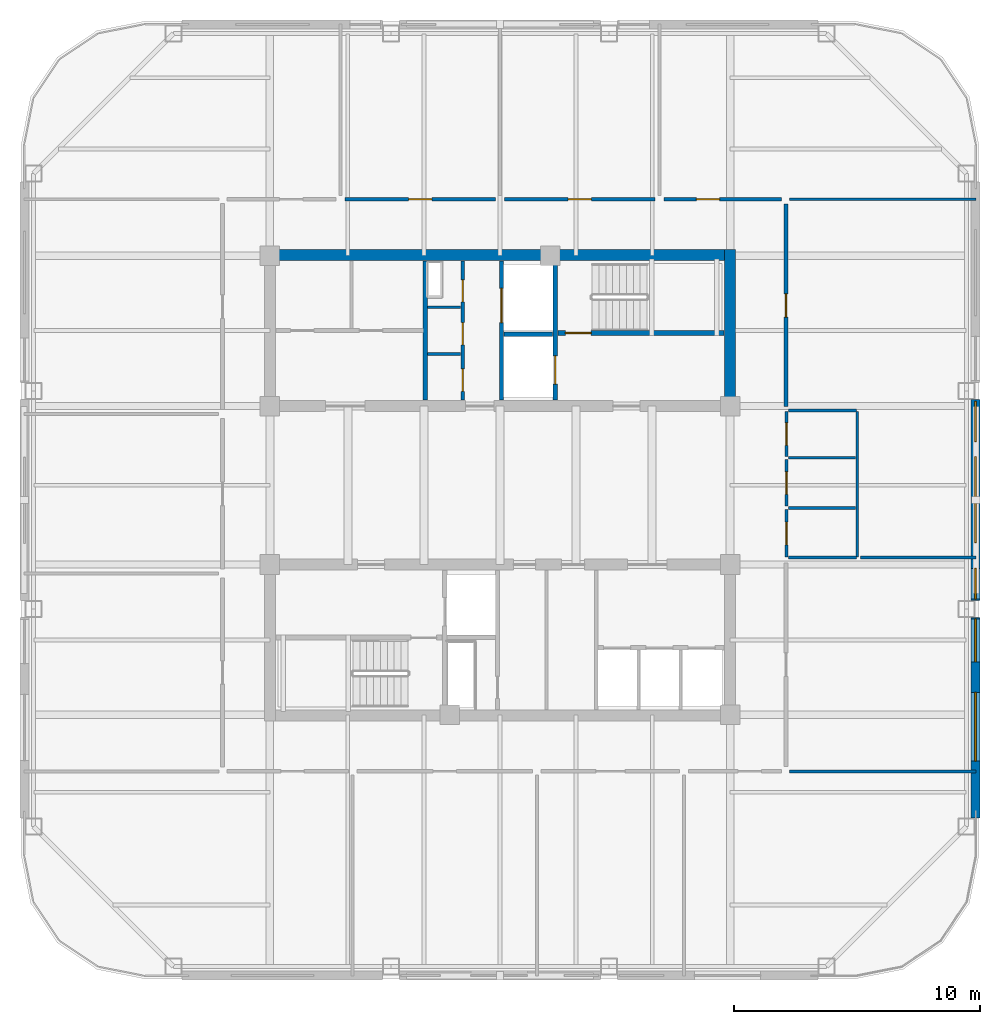
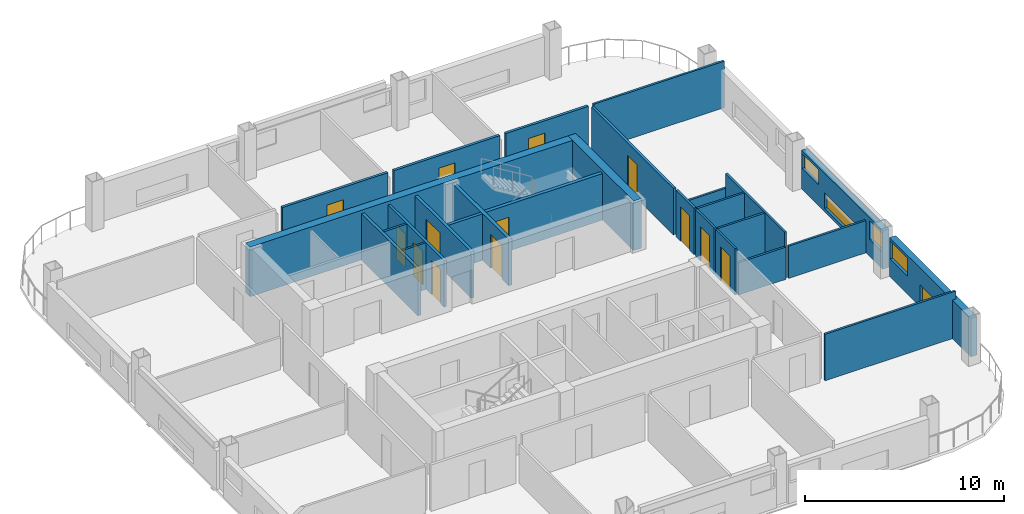
# One storey, part 4 of 8: 27 walls, 13 doors, 5 windows, 18 openings.
"""IFC4 building model written with IfcOpenShell, lengths in metres."""

import ifcopenshell
import ifcopenshell.guid

model = None  # the IFC model being written
_history = None  # IfcOwnerHistory: only IFC2X3 demands one
_inside = {}  # id of a spatial element -> (the spatial element, [elements in it])
_under = {}  # id of a project, library or spatial element -> (it, [spatial elements below it])
_declared = {}  # id of a project -> (the project, [libraries it declares])
_typed = {}  # id of a type object -> (the type object, [elements of that type])
_made_of = {}  # id of a material, layer set ... -> (it, [elements and type objects made of it])


def new_model(schema):
    """Start an empty IFC model of exactly this schema.

    Asked for "IFC4X3", IfcOpenShell would pick the latest addendum, in which some entities
    have other attributes; the version numbers below select the first issue.
    IFC2X3 requires an IfcOwnerHistory on every rooted entity: one is made here for all.
    """
    global model, _history
    if schema == "IFC4X3":
        model = ifcopenshell.file(schema_version=(4, 3, 0, 0))
    else:
        model = ifcopenshell.file(schema=schema)
    _inside.clear()
    _under.clear()
    _declared.clear()
    _typed.clear()
    _made_of.clear()
    _history = None
    if model.schema == "IFC2X3":
        org = make("IfcOrganization", Name="unknown")
        user = make(
            "IfcPersonAndOrganization",
            ThePerson=make("IfcPerson", FamilyName="unknown"),
            TheOrganization=org,
        )
        app = make(
            "IfcApplication",
            ApplicationDeveloper=org,
            Version="unknown",
            ApplicationFullName="unknown",
            ApplicationIdentifier="unknown",
        )
        _history = make(
            "IfcOwnerHistory",
            OwningUser=user,
            OwningApplication=app,
            ChangeAction="ADDED",
            CreationDate=0,
        )
    return model


def make(cls, **values):
    """One entity of the class cls with the attributes given. An attribute that is None is left unset."""
    return model.create_entity(
        cls, **{name: value for name, value in values.items() if value is not None}
    )


def rooted(cls, **values):
    """An entity with a GlobalId (a new one), such as an element, a storey or a relation."""
    return make(cls, GlobalId=ifcopenshell.guid.new(), OwnerHistory=_history, **values)


def si_unit(unit_type, name, prefix=None):
    """IfcSIUnit, for example si_unit("LENGTHUNIT", "METRE", prefix="MILLI")."""
    return make("IfcSIUnit", UnitType=unit_type, Prefix=prefix, Name=name)


def assignment(units):
    """IfcUnitAssignment: the units of a project."""
    return None if units is None else make("IfcUnitAssignment", Units=units)


def point(xyz):
    """IfcCartesianPoint."""
    return None if xyz is None else make("IfcCartesianPoint", Coordinates=xyz)


def direction(xyz):
    """IfcDirection."""
    return None if xyz is None else make("IfcDirection", DirectionRatios=xyz)


def frame(location, z_axis=None, x_axis=None):
    """IfcAxis2Placement3D, a coordinate frame: its origin and axes. An axis left out is left unset."""
    return make(
        "IfcAxis2Placement3D",
        Location=point(location),
        Axis=direction(z_axis),
        RefDirection=direction(x_axis),
    )


def frame_2d(location, x_axis=None):
    """IfcAxis2Placement2D, a coordinate frame in the plane: its origin and x axis."""
    return make(
        "IfcAxis2Placement2D", Location=point(location), RefDirection=direction(x_axis)
    )


def origin():
    """The frame at (0, 0, 0) with its axes left unset."""
    return frame((0.0, 0.0, 0.0))


def place(relative_to, where):
    """IfcLocalPlacement: puts the frame where relative to a parent placement (None: the world)."""
    return make(
        "IfcLocalPlacement", PlacementRelTo=relative_to, RelativePlacement=where
    )


def context(
    kind, dimensions, precision=None, world=None, true_north=None, identifier=None
):
    """IfcGeometricRepresentationContext, for example the 3D "Model" context."""
    return make(
        "IfcGeometricRepresentationContext",
        ContextIdentifier=identifier,
        ContextType=kind,
        CoordinateSpaceDimension=dimensions,
        Precision=precision,
        WorldCoordinateSystem=world,
        TrueNorth=true_north,
    )


def subcontext(parent, identifier, kind, view, scale=None):
    """IfcGeometricRepresentationSubContext, for example "Body" below "Model"."""
    return make(
        "IfcGeometricRepresentationSubContext",
        ContextIdentifier=identifier,
        ContextType=kind,
        ParentContext=parent,
        TargetScale=scale,
        TargetView=view,
    )


def project(units=None, contexts=None):
    """IfcProject with its units and contexts."""
    return rooted(
        "IfcProject",
        Name="project",
        RepresentationContexts=contexts,
        UnitsInContext=assignment(units),
    )


def spatial(cls, under=None, at=None, **own):
    """A site, building, storey or space (cls), placed at a placement, below another one or the project."""
    s = rooted(cls, ObjectPlacement=at, **own)
    if under is not None:
        _under.setdefault(under.id(), (under, []))[1].append(s)
    return s


def profile(cls, at=None, kind="AREA", **sizes):
    """A parametric profile (cls). Its sizes go by their IFC names, for example OverallWidth=200.0."""
    return make(cls, ProfileType=kind, Position=at, **sizes)


def rectangle(**sizes):
    """IfcRectangleProfileDef."""
    return profile("IfcRectangleProfileDef", **sizes)


def extrude(swept, where, along, depth):
    """IfcExtrudedAreaSolid: the profile swept, set in the frame where, extruded along a direction by depth."""
    return make(
        "IfcExtrudedAreaSolid",
        SweptArea=swept,
        Position=where,
        ExtrudedDirection=direction(along),
        Depth=depth,
    )


def shape(context_of_items, identifier, shape_type, items):
    """IfcShapeRepresentation: the items that make up one representation, for example the "Body"."""
    return make(
        "IfcShapeRepresentation",
        ContextOfItems=context_of_items,
        RepresentationIdentifier=identifier,
        RepresentationType=shape_type,
        Items=items,
    )


def material(Name=None, Category=None):
    """IfcMaterial."""
    return make("IfcMaterial", Name=Name, Category=Category)


def layer(
    of_material, thickness, ventilated=None, Name=None, Category=None, Priority=None
):
    """IfcMaterialLayer: one layer of a wall or slab, of a material (None: an air gap)."""
    return make(
        "IfcMaterialLayer",
        Material=of_material,
        LayerThickness=thickness,
        IsVentilated=ventilated,
        Name=Name,
        Category=Category,
        Priority=Priority,
    )


def layer_set(layers, Name=None):
    """IfcMaterialLayerSet."""
    return make("IfcMaterialLayerSet", MaterialLayers=layers, LayerSetName=Name)


def made_of(thing, what):
    """Note that an element or type object is made of a material, layer set ...; save() writes the relation."""
    if what is not None:
        _made_of.setdefault(what.id(), (what, []))[1].append(thing)
    return thing


def type_object(cls, material=None, **own):
    """A type object (cls), such as IfcWallType, which elements share."""
    return made_of(rooted(cls, **own), material)


def element(
    cls,
    number,
    at=None,
    inside=None,
    cuts=None,
    type_object=None,
    material=None,
    context=None,
    identifier="Body",
    shape_type=None,
    held_by="IfcProductDefinitionShape",
    body=None,
    shapes=None,
    **own,
):
    """One element of the class cls, such as IfcWall. Its Tag is "e" and its number.

    at: its placement. inside: the storey or other place that contains it. cuts: it is an
    opening in that element (IfcRelVoidsElement). A single representation is given by context,
    identifier, shape_type and body (its items); several are given by shapes. held_by: the class
    of the entity that holds the representations. save() writes the other relations.
    """
    e = rooted(cls, Tag="e%d" % number, ObjectPlacement=at, **own)
    if body is not None:
        shapes = [shape(context, identifier, shape_type, body)]
    if shapes is not None:
        e.Representation = make(held_by, Representations=shapes)
    if inside is not None:
        _inside.setdefault(inside.id(), (inside, []))[1].append(e)
    if cuts is not None:
        rooted(
            "IfcRelVoidsElement", RelatingBuildingElement=cuts, RelatedOpeningElement=e
        )
    if type_object is not None:
        _typed.setdefault(type_object.id(), (type_object, []))[1].append(e)
    return made_of(e, material)


def fill(opening, filler):
    """IfcRelFillsElement: the door or window that sits in an opening."""
    return rooted(
        "IfcRelFillsElement",
        RelatingOpeningElement=opening,
        RelatedBuildingElement=filler,
    )


def aggregate(whole, parts):
    """IfcRelAggregates: a whole, such as a stair, and the parts it consists of."""
    return rooted("IfcRelAggregates", RelatingObject=whole, RelatedObjects=parts)


def save(model, path):
    """Write the relations noted so far, then the file.

    IfcRelAggregates (storeys below a building ...), IfcRelContainedInSpatialStructure (elements
    in a storey), IfcRelDefinesByType, IfcRelAssociatesMaterial and IfcRelDeclares: one each for
    every whole, place, type object, material and project.
    """
    for whole, parts in _under.values():
        aggregate(whole, parts)
    for where, things in _inside.values():
        rooted(
            "IfcRelContainedInSpatialStructure",
            RelatedElements=things,
            RelatingStructure=where,
        )
    for kind, things in _typed.values():
        rooted("IfcRelDefinesByType", RelatedObjects=things, RelatingType=kind)
    for what, things in _made_of.values():
        rooted("IfcRelAssociatesMaterial", RelatedObjects=things, RelatingMaterial=what)
    for by, libraries in _declared.values():
        rooted("IfcRelDeclares", RelatingContext=by, RelatedDefinitions=libraries)
    model.write(path)


model = new_model("IFC4")

# Units and contexts
model_context = context("Model", 3, precision=1e-05, world=origin(), true_north=direction((0.0, 1.0)))
body_context = subcontext(model_context, "Body", "Model", "MODEL_VIEW")
ifc_project = project(units=[si_unit("LENGTHUNIT", "METRE"), si_unit("AREAUNIT", "SQUARE_METRE"), si_unit("VOLUMEUNIT", "CUBIC_METRE"), si_unit("PLANEANGLEUNIT", "RADIAN"), si_unit("MASSUNIT", "GRAM", prefix="KILO")], contexts=[model_context])

# Site, building, storey
site_placement = place(None, origin())
site = spatial("IfcSite", under=ifc_project, at=site_placement, CompositionType="ELEMENT")
building_placement = place(site_placement, origin())
building = spatial("IfcBuilding", under=site, at=building_placement, Name="Qhalaya Broadcast Tower", CompositionType="ELEMENT")
storey_placement = place(building_placement, frame((0.0, 0.0, 220.85009765625)))
storey = spatial("IfcBuildingStorey", under=building, at=storey_placement, Name="L65", CompositionType="ELEMENT", Elevation=220.85009765625)

# Wall, openings, doors
ifc_material_1 = material(Name="Gypsum Acoustic Partition")
ifc_layer_1 = layer(ifc_material_1, 0.14990234375, Name="Gypsum Acoustic Partition")
ifc_layer_set_1 = layer_set([ifc_layer_1], Name="Gypsum Acoustic Partition")
wall_type_1 = type_object("IfcWallType", Name="Corridor & Tenancy Acoustic Partition 150", PredefinedType="PARTITIONING", material=ifc_layer_set_1)
wall_1_placement = place(storey_placement, frame((-1.52001953125, 4.070068359375, 0.0), z_axis=(0.0, 0.0, 1.0), x_axis=(0.0, 1.0, 0.0)))
wall_1 = element("IfcWall", 1, at=wall_1_placement, inside=storey, type_object=wall_type_1, Name="L65 Partition Wall NCW-SVL", PredefinedType="PARTITIONING", context=body_context, shape_type="SweptSolid", body=[
    extrude(rectangle(XDim=5.659912109375, YDim=0.14990234375, at=frame_2d((2.830078125, 0.0))), origin(), (0.0, 0.0, 1.0), 2.85986328125),
])
opening_1_placement = place(wall_1_placement, frame((4.0, 0.0, 0.0)))
opening_1 = element("IfcOpeningElement", 2, at=opening_1_placement, cuts=wall_1, Name="Opening D06", PredefinedType="OPENING", context=body_context, shape_type="SweptSolid", body=[
    extrude(rectangle(XDim=0.89990234375, YDim=2.050048828125, at=frame_2d((0.449951171875, 1.02490234375))), frame((0.0, 0.0869140625, 0.0), z_axis=(0.0, -1.0, 0.0), x_axis=(1.0, 0.0, 0.0)), (0.0, 0.0, 1.0), 0.173828125),
])
opening_2_placement = place(wall_1_placement, frame((2.25, 0.0, 0.0)))
opening_2 = element("IfcOpeningElement", 3, at=opening_2_placement, cuts=wall_1, Name="Opening D06", PredefinedType="OPENING", context=body_context, shape_type="SweptSolid", body=[
    extrude(rectangle(XDim=0.89990234375, YDim=2.050048828125, at=frame_2d((0.449951171875, 1.02490234375))), frame((0.0, 0.0869140625, 0.0), z_axis=(0.0, -1.0, 0.0), x_axis=(1.0, 0.0, 0.0)), (0.0, 0.0, 1.0), 0.173828125),
])
opening_3_placement = place(wall_1_placement, frame((0.35009765625, 0.0, 0.0)))
opening_3 = element("IfcOpeningElement", 4, at=opening_3_placement, cuts=wall_1, Name="Opening D12", PredefinedType="OPENING", context=body_context, shape_type="SweptSolid", body=[
    extrude(rectangle(XDim=0.919921875, YDim=2.10009765625, at=frame_2d((0.4599609375, 1.050048828125))), frame((0.0, 0.0869140625, 0.0), z_axis=(0.0, -1.0, 0.0), x_axis=(1.0, 0.0, 0.0)), (0.0, 0.0, 1.0), 0.173828125),
])
ifc_material_2 = material(Name="Timber Veneer Acoustic Door", Category="wood")
door_type_1 = type_object("IfcDoorType", Name="Accessible WC & Restroom Door D12", OperationType="NOTDEFINED", PredefinedType="DOOR", material=ifc_material_2)
door_1_placement = place(opening_3_placement, origin())
door_1 = element("IfcDoor", 5, at=door_1_placement, inside=storey, type_object=door_type_1, Name="L65 Door D-NCWC", OperationType="SINGLE_SWING_RIGHT", OverallHeight=2.10009765625, OverallWidth=0.919921875, PredefinedType="DOOR", context=body_context, shape_type="SweptSolid", body=[
    extrude(rectangle(XDim=0.919921875, YDim=2.10009765625, at=frame_2d((0.4599609375, 1.050048828125))), frame((0.0, 0.02490234375, 0.0), z_axis=(0.0, -1.0, 0.0), x_axis=(1.0, 0.0, 0.0)), (0.0, 0.0, 1.0), 0.050048828125),
])
fill(opening_3, door_1)
ifc_material_3 = material(Name="Fire-Rated Steel Door", Category="steel")
door_type_2 = type_object("IfcDoorType", Name="Riser & Electrical Shaft Access Door D06", OperationType="NOTDEFINED", PredefinedType="DOOR", material=ifc_material_3)
door_2_placement = place(opening_1_placement, origin())
door_2 = element("IfcDoor", 6, at=door_2_placement, inside=storey, type_object=door_type_2, Name="L65 Riser Shaft Access Door D-NRSR", OperationType="SINGLE_SWING_RIGHT", OverallHeight=2.050048828125, OverallWidth=0.89990234375, PredefinedType="DOOR", context=body_context, shape_type="SweptSolid", body=[
    extrude(rectangle(XDim=0.89990234375, YDim=2.050048828125, at=frame_2d((0.449951171875, 1.02490234375))), frame((0.0, 0.02490234375, 0.0), z_axis=(0.0, -1.0, 0.0), x_axis=(1.0, 0.0, 0.0)), (0.0, 0.0, 1.0), 0.050048828125),
])
fill(opening_1, door_2)
door_3_placement = place(opening_2_placement, origin())
door_3 = element("IfcDoor", 7, at=door_3_placement, inside=storey, type_object=door_type_2, Name="L65 Door D-NITR", OperationType="SINGLE_SWING_LEFT", OverallHeight=2.050048828125, OverallWidth=0.89990234375, PredefinedType="DOOR", context=body_context, shape_type="SweptSolid", body=[
    extrude(rectangle(XDim=0.89990234375, YDim=2.050048828125, at=frame_2d((0.449951171875, 1.02490234375))), frame((0.0, 0.02490234375, 0.0), z_axis=(0.0, -1.0, 0.0), x_axis=(1.0, 0.0, 0.0)), (0.0, 0.0, 1.0), 0.050048828125),
])
fill(opening_2, door_3)

# Wall, opening, door
wall_2_placement = place(storey_placement, frame((-6.320068359375, 12.25, 0.0), z_axis=(0.0, 0.0, 1.0), x_axis=(1.0, 0.0, 0.0)))
wall_2 = element("IfcWall", 8, at=wall_2_placement, inside=storey, type_object=wall_type_1, Name="L65 Partition Wall W-COR-02", PredefinedType="PARTITIONING", context=body_context, shape_type="SweptSolid", body=[
    extrude(rectangle(XDim=6.14013671875, YDim=0.14990234375, at=frame_2d((3.070068359375, 0.0))), origin(), (0.0, 0.0, 1.0), 2.85986328125),
])
opening_4_placement = place(wall_2_placement, frame((2.594970703125, 0.0, 0.0)))
opening_4 = element("IfcOpeningElement", 9, at=opening_4_placement, cuts=wall_2, Name="Opening D10", PredefinedType="OPENING", context=body_context, shape_type="SweptSolid", body=[
    extrude(rectangle(XDim=0.949951171875, YDim=2.10009765625, at=frame_2d((0.47509765625, 1.050048828125))), frame((0.0, 0.0869140625, 0.0), z_axis=(0.0, -1.0, 0.0), x_axis=(1.0, 0.0, 0.0)), (0.0, 0.0, 1.0), 0.173828125),
])
door_type_3 = type_object("IfcDoorType", Name="Cellular Office & Edit Booth Door D10", OperationType="NOTDEFINED", PredefinedType="DOOR", material=ifc_material_2)
door_4_placement = place(opening_4_placement, origin())
door_4 = element("IfcDoor", 10, at=door_4_placement, inside=storey, type_object=door_type_3, Name="L65 Door D-RM02", OperationType="SINGLE_SWING_RIGHT", OverallHeight=2.10009765625, OverallWidth=0.949951171875, PredefinedType="DOOR", context=body_context, shape_type="SweptSolid", body=[
    extrude(rectangle(XDim=0.949951171875, YDim=2.10009765625, at=frame_2d((0.47509765625, 1.050048828125))), frame((0.0, 0.02490234375, 0.0), z_axis=(0.0, -1.0, 0.0), x_axis=(1.0, 0.0, 0.0)), (0.0, 0.0, 1.0), 0.050048828125),
])
fill(opening_4, door_4)

wall_3_placement = place(storey_placement, frame((0.179931640625, 12.25, 0.0), z_axis=(0.0, 0.0, 1.0), x_axis=(1.0, 0.0, 0.0)))
wall_3 = element("IfcWall", 11, at=wall_3_placement, inside=storey, type_object=wall_type_1, Name="L65 Partition Wall W-COR-03", PredefinedType="PARTITIONING", context=body_context, shape_type="SweptSolid", body=[
    extrude(rectangle(XDim=6.14013671875, YDim=0.14990234375, at=frame_2d((3.070068359375, 0.0))), origin(), (0.0, 0.0, 1.0), 2.85986328125),
])
opening_5_placement = place(wall_3_placement, frame((2.594970703125, 0.0, 0.0)))
opening_5 = element("IfcOpeningElement", 12, at=opening_5_placement, cuts=wall_3, Name="Opening D10", PredefinedType="OPENING", context=body_context, shape_type="SweptSolid", body=[
    extrude(rectangle(XDim=0.949951171875, YDim=2.10009765625, at=frame_2d((0.47509765625, 1.050048828125))), frame((0.0, 0.0869140625, 0.0), z_axis=(0.0, -1.0, 0.0), x_axis=(1.0, 0.0, 0.0)), (0.0, 0.0, 1.0), 0.173828125),
])
door_5_placement = place(opening_5_placement, origin())
door_5 = element("IfcDoor", 13, at=door_5_placement, inside=storey, type_object=door_type_3, Name="L65 Door D-RM03", OperationType="SINGLE_SWING_LEFT", OverallHeight=2.10009765625, OverallWidth=0.949951171875, PredefinedType="DOOR", context=body_context, shape_type="SweptSolid", body=[
    extrude(rectangle(XDim=0.949951171875, YDim=2.10009765625, at=frame_2d((0.47509765625, 1.050048828125))), frame((0.0, 0.02490234375, 0.0), z_axis=(0.0, -1.0, 0.0), x_axis=(1.0, 0.0, 0.0)), (0.0, 0.0, 1.0), 0.050048828125),
])
fill(opening_5, door_5)

wall_4_placement = place(storey_placement, frame((6.679931640625, 12.25, 0.0), z_axis=(0.0, 0.0, 1.0), x_axis=(1.0, 0.0, 0.0)))
wall_4 = element("IfcWall", 14, at=wall_4_placement, inside=storey, type_object=wall_type_1, Name="L65 Partition Wall W-COR-04", PredefinedType="PARTITIONING", context=body_context, shape_type="SweptSolid", body=[
    extrude(rectangle(XDim=4.7900390625, YDim=0.14990234375, at=frame_2d((2.39501953125, 0.0))), origin(), (0.0, 0.0, 1.0), 2.85986328125),
])
opening_6_placement = place(wall_4_placement, frame((1.320068359375, 0.0, 0.0)))
opening_6 = element("IfcOpeningElement", 15, at=opening_6_placement, cuts=wall_4, Name="Opening D10", PredefinedType="OPENING", context=body_context, shape_type="SweptSolid", body=[
    extrude(rectangle(XDim=0.949951171875, YDim=2.10009765625, at=frame_2d((0.47509765625, 1.050048828125))), frame((0.0, 0.0869140625, 0.0), z_axis=(0.0, -1.0, 0.0), x_axis=(1.0, 0.0, 0.0)), (0.0, 0.0, 1.0), 0.173828125),
])
door_6_placement = place(opening_6_placement, origin())
door_6 = element("IfcDoor", 16, at=door_6_placement, inside=storey, type_object=door_type_3, Name="L65 Door D-RM04", OperationType="SINGLE_SWING_RIGHT", OverallHeight=2.10009765625, OverallWidth=0.949951171875, PredefinedType="DOOR", context=body_context, shape_type="SweptSolid", body=[
    extrude(rectangle(XDim=0.949951171875, YDim=2.10009765625, at=frame_2d((0.47509765625, 1.050048828125))), frame((0.0, 0.02490234375, 0.0), z_axis=(0.0, -1.0, 0.0), x_axis=(1.0, 0.0, 0.0)), (0.0, 0.0, 1.0), 0.050048828125),
])
fill(opening_6, door_6)

wall_5_placement = place(storey_placement, frame((11.64990234375, 3.800048828125, 0.0), z_axis=(0.0, 0.0, 1.0), x_axis=(0.0, 1.0, 0.0)))
wall_5 = element("IfcWall", 17, at=wall_5_placement, inside=storey, type_object=wall_type_1, Name="L65 Partition Wall W-COR-13", PredefinedType="PARTITIONING", context=body_context, shape_type="SweptSolid", body=[
    extrude(rectangle(XDim=8.25, YDim=0.14990234375, at=frame_2d((4.125, 0.0))), origin(), (0.0, 0.0, 1.0), 2.85986328125),
])
opening_7_placement = place(wall_5_placement, frame((3.64990234375, 0.0, 0.0)))
opening_7 = element("IfcOpeningElement", 18, at=opening_7_placement, cuts=wall_5, Name="Opening D10", PredefinedType="OPENING", context=body_context, shape_type="SweptSolid", body=[
    extrude(rectangle(XDim=0.949951171875, YDim=2.10009765625, at=frame_2d((0.47509765625, 1.050048828125))), frame((0.0, 0.0869140625, 0.0), z_axis=(0.0, -1.0, 0.0), x_axis=(1.0, 0.0, 0.0)), (0.0, 0.0, 1.0), 0.173828125),
])
door_7_placement = place(opening_7_placement, origin())
door_7 = element("IfcDoor", 19, at=door_7_placement, inside=storey, type_object=door_type_3, Name="L65 Door D-RM13", OperationType="SINGLE_SWING_LEFT", OverallHeight=2.10009765625, OverallWidth=0.949951171875, PredefinedType="DOOR", context=body_context, shape_type="SweptSolid", body=[
    extrude(rectangle(XDim=0.949951171875, YDim=2.10009765625, at=frame_2d((0.47509765625, 1.050048828125))), frame((0.0, 0.02490234375, 0.0), z_axis=(0.0, -1.0, 0.0), x_axis=(1.0, 0.0, 0.0)), (0.0, 0.0, 1.0), 0.050048828125),
])
fill(opening_7, door_7)

# Wall, openings, windows
ifc_material_4 = material(Name="Precast Concrete C40/50", Category="concrete")
ifc_layer_2 = layer(ifc_material_4, 0.360107421875, Name="Precast Concrete C40/50")
ifc_layer_set_2 = layer_set([ifc_layer_2], Name="Precast Concrete C40/50")
wall_type_2 = type_object("IfcWallType", Name="Insulated Precast Terracotta Exterior Wall 360", PredefinedType="SOLIDWALL", material=ifc_layer_set_2)
wall_6_placement = place(storey_placement, frame((19.360107421875, 4.083251953125, 0.0), z_axis=(0.0, 0.0, 1.0), x_axis=(0.0, -1.0, 0.0)))
wall_6 = element("IfcWall", 20, at=wall_6_placement, inside=storey, type_object=wall_type_2, Name="L65 Exoskeleton Diagrid Infill Wall E2", PredefinedType="SOLIDWALL", context=body_context, shape_type="SweptSolid", body=[
    extrude(rectangle(XDim=8.16650390625, YDim=0.360107421875, at=frame_2d((4.083251953125, 0.0))), origin(), (0.0, 0.0, 1.0), 2.3740234375),
])
opening_8_placement = place(wall_6_placement, frame((0.071044921875, 0.0, 1.300048828125)))
opening_8 = element("IfcOpeningElement", 21, at=opening_8_placement, cuts=wall_6, Name="Opening W13", PredefinedType="OPENING", context=body_context, shape_type="SweptSolid", body=[
    extrude(rectangle(XDim=1.64990234375, YDim=0.89990234375, at=frame_2d((0.824951171875, 0.449951171875))), frame((0.0, 0.192138671875, 0.0), z_axis=(0.0, -1.0, 0.0), x_axis=(1.0, 0.0, 0.0)), (0.0, 0.0, 1.0), 0.384033203125),
])
opening_9_placement = place(wall_6_placement, frame((2.321044921875, 0.0, 0.199951171875)))
opening_9 = element("IfcOpeningElement", 22, at=opening_9_placement, cuts=wall_6, Name="Opening W13", PredefinedType="OPENING", context=body_context, shape_type="SweptSolid", body=[
    extrude(rectangle(XDim=3.5, YDim=0.949951171875, at=frame_2d((1.75, 0.47509765625))), frame((0.0, 0.192138671875, 0.0), z_axis=(0.0, -1.0, 0.0), x_axis=(1.0, 0.0, 0.0)), (0.0, 0.0, 1.0), 0.384033203125),
])
opening_10_placement = place(wall_6_placement, frame((6.87109375, 0.0, 1.050048828125)))
opening_10 = element("IfcOpeningElement", 23, at=opening_10_placement, cuts=wall_6, Name="Opening W13", PredefinedType="OPENING", context=body_context, shape_type="SweptSolid", body=[
    extrude(rectangle(XDim=1.25, YDim=1.14990234375, at=frame_2d((0.625, 0.574951171875))), frame((0.0, 0.192138671875, 0.0), z_axis=(0.0, -1.0, 0.0), x_axis=(1.0, 0.0, 0.0)), (0.0, 0.0, 1.0), 0.384033203125),
])
ifc_material_5 = material(Name="Solar-Control Low-E Triple Glazing", Category="glass")
window_type = type_object("IfcWindowType", Name="Upper-Block Diagrid Infill Window W13", PartitioningType="SINGLE_PANEL", PredefinedType="WINDOW", material=ifc_material_5)
window_1_placement = place(opening_8_placement, origin())
window_1 = element("IfcWindow", 24, at=window_1_placement, inside=storey, type_object=window_type, Name="L65 Diagrid Infill Window W13-E3", OverallHeight=0.89990234375, OverallWidth=1.64990234375, PartitioningType="SINGLE_PANEL", PredefinedType="WINDOW", context=body_context, shape_type="SweptSolid", body=[
    extrude(rectangle(XDim=1.64990234375, YDim=0.89990234375, at=frame_2d((0.824951171875, 0.449951171875))), frame((0.0, 0.030029296875, 0.0), z_axis=(0.0, -1.0, 0.0), x_axis=(1.0, 0.0, 0.0)), (0.0, 0.0, 1.0), 0.06005859375),
])
fill(opening_8, window_1)
window_2_placement = place(opening_9_placement, origin())
window_2 = element("IfcWindow", 25, at=window_2_placement, inside=storey, type_object=window_type, Name="L65 Diagrid Infill Window W13-E4", OverallHeight=0.949951171875, OverallWidth=3.5, PartitioningType="SINGLE_PANEL", PredefinedType="WINDOW", context=body_context, shape_type="SweptSolid", body=[
    extrude(rectangle(XDim=3.5, YDim=0.949951171875, at=frame_2d((1.75, 0.47509765625))), frame((0.0, 0.030029296875, 0.0), z_axis=(0.0, -1.0, 0.0), x_axis=(1.0, 0.0, 0.0)), (0.0, 0.0, 1.0), 0.06005859375),
])
fill(opening_9, window_2)
window_3_placement = place(opening_10_placement, origin())
window_3 = element("IfcWindow", 26, at=window_3_placement, inside=storey, type_object=window_type, Name="L65 Diagrid Infill Window W13-E5", OverallHeight=1.14990234375, OverallWidth=1.25, PartitioningType="SINGLE_PANEL", PredefinedType="WINDOW", context=body_context, shape_type="SweptSolid", body=[
    extrude(rectangle(XDim=1.25, YDim=1.14990234375, at=frame_2d((0.625, 0.574951171875))), frame((0.0, 0.030029296875, 0.0), z_axis=(0.0, -1.0, 0.0), x_axis=(1.0, 0.0, 0.0)), (0.0, 0.0, 1.0), 0.06005859375),
])
fill(opening_10, window_3)

wall_7_placement = place(storey_placement, frame((19.360107421875, -4.783203125, 0.0), z_axis=(0.0, 0.0, 1.0), x_axis=(0.0, -1.0, 0.0)))
wall_7 = element("IfcWall", 27, at=wall_7_placement, inside=storey, type_object=wall_type_2, Name="L65 Exoskeleton Diagrid Infill Wall E3", PredefinedType="SOLIDWALL", context=body_context, shape_type="SweptSolid", body=[
    extrude(rectangle(XDim=8.1787109375, YDim=0.360107421875, at=frame_2d((4.08935546875, 0.0))), origin(), (0.0, 0.0, 1.0), 2.3740234375),
])
opening_11_placement = place(wall_7_placement, frame((0.054931640625, 0.0, 1.10009765625)))
opening_11 = element("IfcOpeningElement", 28, at=opening_11_placement, cuts=wall_7, Name="Opening W13", PredefinedType="OPENING", context=body_context, shape_type="SweptSolid", body=[
    extrude(rectangle(XDim=1.75, YDim=1.10009765625, at=frame_2d((0.875, 0.550048828125))), frame((0.0, 0.192138671875, 0.0), z_axis=(0.0, -1.0, 0.0), x_axis=(1.0, 0.0, 0.0)), (0.0, 0.0, 1.0), 0.384033203125),
])
opening_12_placement = place(wall_7_placement, frame((3.054931640625, 0.0, 0.199951171875)))
opening_12 = element("IfcOpeningElement", 29, at=opening_12_placement, cuts=wall_7, Name="Opening W13", PredefinedType="OPENING", context=body_context, shape_type="SweptSolid", body=[
    extrude(rectangle(XDim=2.800048828125, YDim=1.14990234375, at=frame_2d((1.39990234375, 0.574951171875))), frame((0.0, 0.192138671875, 0.0), z_axis=(0.0, -1.0, 0.0), x_axis=(1.0, 0.0, 0.0)), (0.0, 0.0, 1.0), 0.384033203125),
])
window_4_placement = place(opening_11_placement, origin())
window_4 = element("IfcWindow", 30, at=window_4_placement, inside=storey, type_object=window_type, Name="L65 Diagrid Infill Window W13-E6", OverallHeight=1.10009765625, OverallWidth=1.75, PartitioningType="SINGLE_PANEL", PredefinedType="WINDOW", context=body_context, shape_type="SweptSolid", body=[
    extrude(rectangle(XDim=1.75, YDim=1.10009765625, at=frame_2d((0.875, 0.550048828125))), frame((0.0, 0.030029296875, 0.0), z_axis=(0.0, -1.0, 0.0), x_axis=(1.0, 0.0, 0.0)), (0.0, 0.0, 1.0), 0.06005859375),
])
fill(opening_11, window_4)
window_5_placement = place(opening_12_placement, origin())
window_5 = element("IfcWindow", 31, at=window_5_placement, inside=storey, type_object=window_type, Name="L65 Diagrid Infill Window W13-E7", OverallHeight=1.14990234375, OverallWidth=2.800048828125, PartitioningType="SINGLE_PANEL", PredefinedType="WINDOW", context=body_context, shape_type="SweptSolid", body=[
    extrude(rectangle(XDim=2.800048828125, YDim=1.14990234375, at=frame_2d((1.39990234375, 0.574951171875))), frame((0.0, 0.030029296875, 0.0), z_axis=(0.0, -1.0, 0.0), x_axis=(1.0, 0.0, 0.0)), (0.0, 0.0, 1.0), 0.06005859375),
])
fill(opening_12, window_5)

# Wall, opening, door
ifc_material_6 = material(Name="Concrete C50/60", Category="concrete")
ifc_layer_3 = layer(ifc_material_6, 0.199951171875, Name="Concrete C50/60")
ifc_layer_set_3 = layer_set([ifc_layer_3], Name="Concrete C50/60")
wall_type_3 = type_object("IfcWallType", Name="Load-Bearing Stair Shaft Wall 200", PredefinedType="SHEAR", material=ifc_layer_set_3)
wall_8_placement = place(storey_placement, frame((2.360107421875, 6.804931640625, 0.0), z_axis=(0.0, 0.0, 1.0), x_axis=(1.0, 0.0, 0.0)))
wall_8 = element("IfcWall", 32, at=wall_8_placement, inside=storey, type_object=wall_type_3, Name="L65 Stair Core Shear Wall NCW-ST1", PredefinedType="SHEAR", context=body_context, shape_type="SweptSolid", body=[
    extrude(rectangle(XDim=6.769775390625, YDim=0.199951171875, at=frame_2d((3.384765625, 0.0))), origin(), (0.0, 0.0, 1.0), 2.85986328125),
])
opening_13_placement = place(wall_8_placement, frame((0.300048828125, 0.0, 0.0)))
opening_13 = element("IfcOpeningElement", 33, at=opening_13_placement, cuts=wall_8, Name="Opening D03", PredefinedType="OPENING", context=body_context, shape_type="SweptSolid", body=[
    extrude(rectangle(XDim=1.050048828125, YDim=2.080078125, at=frame_2d((0.52490234375, 1.0400390625))), frame((0.0, 0.112060546875, 0.0), z_axis=(0.0, -1.0, 0.0), x_axis=(1.0, 0.0, 0.0)), (0.0, 0.0, 1.0), 0.223876953125),
])
door_type_4 = type_object("IfcDoorType", Name="Core Stair Protected Fire Door D03", OperationType="NOTDEFINED", PredefinedType="DOOR", material=ifc_material_3)
door_8_placement = place(opening_13_placement, origin())
door_8 = element("IfcDoor", 34, at=door_8_placement, inside=storey, type_object=door_type_4, Name="L65 Door D-NST1", OperationType="SINGLE_SWING_LEFT", OverallHeight=2.080078125, OverallWidth=1.050048828125, PredefinedType="DOOR", context=body_context, shape_type="SweptSolid", body=[
    extrude(rectangle(XDim=1.050048828125, YDim=2.080078125, at=frame_2d((0.52490234375, 1.0400390625))), frame((0.0, 0.02490234375, 0.0), z_axis=(0.0, -1.0, 0.0), x_axis=(1.0, 0.0, 0.0)), (0.0, 0.0, 1.0), 0.050048828125),
])
fill(opening_13, door_8)

wall_9_placement = place(storey_placement, frame((2.25, 4.070068359375, 0.0), z_axis=(0.0, 0.0, 1.0), x_axis=(0.0, 1.0, 0.0)))
wall_9 = element("IfcWall", 35, at=wall_9_placement, inside=storey, type_object=wall_type_3, Name="L65 Stair Core Shear Wall NCW-FF", PredefinedType="SHEAR", context=body_context, shape_type="SweptSolid", body=[
    extrude(rectangle(XDim=5.659912109375, YDim=0.199951171875, at=frame_2d((2.830078125, 0.0))), origin(), (0.0, 0.0, 1.0), 2.85986328125),
])
opening_14_placement = place(wall_9_placement, frame((0.64990234375, 0.0, 0.0)))
opening_14 = element("IfcOpeningElement", 36, at=opening_14_placement, cuts=wall_9, Name="Opening LD2", PredefinedType="OPENING", context=body_context, shape_type="SweptSolid", body=[
    extrude(rectangle(XDim=1.14990234375, YDim=2.080078125, at=frame_2d((0.574951171875, 1.0400390625))), frame((0.0, 0.112060546875, 0.0), z_axis=(0.0, -1.0, 0.0), x_axis=(1.0, 0.0, 0.0)), (0.0, 0.0, 1.0), 0.223876953125),
])
ifc_material_7 = material(Name="Brushed Stainless Steel Lift Door", Category="steel")
door_type_5 = type_object("IfcDoorType", Name="Firefighting Lift Sliding Landing Door LD2", OperationType="DOUBLE_DOOR_SLIDING", PredefinedType="DOOR", material=ifc_material_7)
door_9_placement = place(opening_14_placement, origin())
door_9 = element("IfcDoor", 37, at=door_9_placement, inside=storey, type_object=door_type_5, Name="L65 Door LD-FF1", OperationType="DOUBLE_DOOR_SLIDING", OverallHeight=2.080078125, OverallWidth=1.14990234375, PredefinedType="DOOR", context=body_context, shape_type="SweptSolid", body=[
    extrude(rectangle(XDim=1.14990234375, YDim=2.080078125, at=frame_2d((0.574951171875, 1.0400390625))), frame((0.0, 0.02490234375, 0.0), z_axis=(0.0, -1.0, 0.0), x_axis=(1.0, 0.0, 0.0)), (0.0, 0.0, 1.0), 0.050048828125),
])
fill(opening_14, door_9)

# Walls
ifc_layer_4 = layer(ifc_material_1, 0.1201171875, Name="Gypsum Acoustic Partition")
ifc_layer_set_4 = layer_set([ifc_layer_4], Name="Gypsum Acoustic Partition")
wall_type_4 = type_object("IfcWallType", Name="Office, Booth & Sanitary Partition 120", PredefinedType="PARTITIONING", material=ifc_layer_set_4)
for number, where, z_axis, x_axis, name in (
    (38, (-2.9599609375, 5.949951171875, 0.0), (0.0, 0.0, 1.0), (1.0, 0.0, 0.0), "L65 Partition Wall NCW-VB1"),
    (39, (-2.9599609375, 7.85009765625, 0.0), (0.0, 0.0, 1.0), (1.0, 0.0, 0.0), "L65 Partition Wall NCW-VB2"),
):
    element("IfcWall", number, at=place(storey_placement, frame(where, z_axis=z_axis, x_axis=x_axis)), inside=storey, type_object=wall_type_4, Name=name, PredefinedType="PARTITIONING", context=body_context, shape_type="SweptSolid", body=[
        extrude(rectangle(XDim=1.35986328125, YDim=0.1201171875, at=frame_2d((0.679931640625, 0.0))), origin(), (0.0, 0.0, 1.0), 2.85986328125),
    ])

# Wall, opening, door
wall_10_placement = place(storey_placement, frame((11.669921875, -2.320068359375, 0.0), z_axis=(0.0, 0.0, 1.0), x_axis=(0.0, 1.0, 0.0)))
wall_10 = element("IfcWall", 40, at=wall_10_placement, inside=storey, type_object=wall_type_4, Name="L65 Partition Wall W-WCWA", PredefinedType="PARTITIONING", context=body_context, shape_type="SweptSolid", body=[
    extrude(rectangle(XDim=1.940185546875, YDim=0.1201171875, at=frame_2d((0.97021484375, 0.0))), origin(), (0.0, 0.0, 1.0), 2.85986328125),
])
opening_15_placement = place(wall_10_placement, frame((0.4951171875, 0.0, 0.0)))
opening_15 = element("IfcOpeningElement", 41, at=opening_15_placement, cuts=wall_10, Name="Opening D12", PredefinedType="OPENING", context=body_context, shape_type="SweptSolid", body=[
    extrude(rectangle(XDim=0.919921875, YDim=2.10009765625, at=frame_2d((0.4599609375, 1.050048828125))), frame((0.0, 0.072021484375, 0.0), z_axis=(0.0, -1.0, 0.0), x_axis=(1.0, 0.0, 0.0)), (0.0, 0.0, 1.0), 0.14404296875),
])
door_10_placement = place(opening_15_placement, origin())
door_10 = element("IfcDoor", 42, at=door_10_placement, inside=storey, type_object=door_type_1, Name="L65 Door D-WCA", OperationType="SINGLE_SWING_LEFT", OverallHeight=2.10009765625, OverallWidth=0.919921875, PredefinedType="DOOR", context=body_context, shape_type="SweptSolid", body=[
    extrude(rectangle(XDim=0.919921875, YDim=2.10009765625, at=frame_2d((0.4599609375, 1.050048828125))), frame((0.0, 0.02490234375, 0.0), z_axis=(0.0, -1.0, 0.0), x_axis=(1.0, 0.0, 0.0)), (0.0, 0.0, 1.0), 0.050048828125),
])
fill(opening_15, door_10)

wall_11_placement = place(storey_placement, frame((11.669921875, -0.25, 0.0), z_axis=(0.0, 0.0, 1.0), x_axis=(0.0, 1.0, 0.0)))
wall_11 = element("IfcWall", 43, at=wall_11_placement, inside=storey, type_object=wall_type_4, Name="L65 Partition Wall W-WCWM", PredefinedType="PARTITIONING", context=body_context, shape_type="SweptSolid", body=[
    extrude(rectangle(XDim=1.89990234375, YDim=0.1201171875, at=frame_2d((0.949951171875, 0.0))), origin(), (0.0, 0.0, 1.0), 2.85986328125),
])
opening_16_placement = place(wall_11_placement, frame((0.47509765625, 0.0, 0.0)))
opening_16 = element("IfcOpeningElement", 44, at=opening_16_placement, cuts=wall_11, Name="Opening D12", PredefinedType="OPENING", context=body_context, shape_type="SweptSolid", body=[
    extrude(rectangle(XDim=0.919921875, YDim=2.10009765625, at=frame_2d((0.4599609375, 1.050048828125))), frame((0.0, 0.072021484375, 0.0), z_axis=(0.0, -1.0, 0.0), x_axis=(1.0, 0.0, 0.0)), (0.0, 0.0, 1.0), 0.14404296875),
])
door_11_placement = place(opening_16_placement, origin())
door_11 = element("IfcDoor", 45, at=door_11_placement, inside=storey, type_object=door_type_1, Name="L65 Door D-WCM", OperationType="SINGLE_SWING_RIGHT", OverallHeight=2.10009765625, OverallWidth=0.919921875, PredefinedType="DOOR", context=body_context, shape_type="SweptSolid", body=[
    extrude(rectangle(XDim=0.919921875, YDim=2.10009765625, at=frame_2d((0.4599609375, 1.050048828125))), frame((0.0, 0.02490234375, 0.0), z_axis=(0.0, -1.0, 0.0), x_axis=(1.0, 0.0, 0.0)), (0.0, 0.0, 1.0), 0.050048828125),
])
fill(opening_16, door_11)

wall_12_placement = place(storey_placement, frame((11.669921875, 1.780029296875, 0.0), z_axis=(0.0, 0.0, 1.0), x_axis=(0.0, 1.0, 0.0)))
wall_12 = element("IfcWall", 46, at=wall_12_placement, inside=storey, type_object=wall_type_4, Name="L65 Partition Wall W-WCWF", PredefinedType="PARTITIONING", context=body_context, shape_type="SweptSolid", body=[
    extrude(rectangle(XDim=1.830078125, YDim=0.1201171875, at=frame_2d((0.9150390625, 0.0))), origin(), (0.0, 0.0, 1.0), 2.85986328125),
])
opening_17_placement = place(wall_12_placement, frame((0.43994140625, 0.0, 0.0)))
opening_17 = element("IfcOpeningElement", 47, at=opening_17_placement, cuts=wall_12, Name="Opening D12", PredefinedType="OPENING", context=body_context, shape_type="SweptSolid", body=[
    extrude(rectangle(XDim=0.919921875, YDim=2.10009765625, at=frame_2d((0.4599609375, 1.050048828125))), frame((0.0, 0.072021484375, 0.0), z_axis=(0.0, -1.0, 0.0), x_axis=(1.0, 0.0, 0.0)), (0.0, 0.0, 1.0), 0.14404296875),
])
door_12_placement = place(opening_17_placement, origin())
door_12 = element("IfcDoor", 48, at=door_12_placement, inside=storey, type_object=door_type_1, Name="L65 Door D-WCF", OperationType="SINGLE_SWING_LEFT", OverallHeight=2.10009765625, OverallWidth=0.919921875, PredefinedType="DOOR", context=body_context, shape_type="SweptSolid", body=[
    extrude(rectangle(XDim=0.919921875, YDim=2.10009765625, at=frame_2d((0.4599609375, 1.050048828125))), frame((0.0, 0.02490234375, 0.0), z_axis=(0.0, -1.0, 0.0), x_axis=(1.0, 0.0, 0.0)), (0.0, 0.0, 1.0), 0.050048828125),
])
fill(opening_17, door_12)

# Walls
wall_13_placement = place(storey_placement, frame((14.550048828125, -2.320068359375, 0.0), z_axis=(0.0, 0.0, 1.0), x_axis=(0.0, 1.0, 0.0)))
element("IfcWall", 49, at=wall_13_placement, inside=storey, type_object=wall_type_4, Name="L65 Partition Wall W-WCE", PredefinedType="PARTITIONING", context=body_context, shape_type="SweptSolid", body=[
    extrude(rectangle(XDim=5.93017578125, YDim=0.1201171875, at=frame_2d((2.965087890625, 0.0))), origin(), (0.0, 0.0, 1.0), 2.85986328125),
])
for number, where, z_axis, x_axis, name in (
    (50, (11.760009765625, -2.35009765625, 0.0), (0.0, 0.0, 1.0), (1.0, 0.0, 0.0), "L65 Partition Wall W-WCS"),
    (51, (11.760009765625, 3.639892578125, 0.0), (0.0, 0.0, 1.0), (1.0, 0.0, 0.0), "L65 Partition Wall W-WCN"),
):
    element("IfcWall", number, at=place(storey_placement, frame(where, z_axis=z_axis, x_axis=x_axis)), inside=storey, type_object=wall_type_4, Name=name, PredefinedType="PARTITIONING", context=body_context, shape_type="SweptSolid", body=[
        extrude(rectangle(XDim=2.760009765625, YDim=0.1201171875, at=frame_2d((1.3798828125, 0.0))), origin(), (0.0, 0.0, 1.0), 1.98095703125),
    ])
for number, where, z_axis, x_axis, name in (
    (52, (11.760009765625, -0.320068359375, 0.0), (0.0, 0.0, 1.0), (1.0, 0.0, 0.0), "L65 Partition Wall W-WCD1"),
    (53, (11.760009765625, 1.719970703125, 0.0), (0.0, 0.0, 1.0), (1.0, 0.0, 0.0), "L65 Partition Wall W-WCD2"),
):
    element("IfcWall", number, at=place(storey_placement, frame(where, z_axis=z_axis, x_axis=x_axis)), inside=storey, type_object=wall_type_4, Name=name, PredefinedType="PARTITIONING", context=body_context, shape_type="SweptSolid", body=[
        extrude(rectangle(XDim=2.719970703125, YDim=0.1201171875, at=frame_2d((1.35986328125, 0.0))), origin(), (0.0, 0.0, 1.0), 2.85986328125),
    ])
for number, where, z_axis, x_axis, name in (
    (54, (11.7900390625, 12.25, 0.0), (0.0, 0.0, 1.0), (1.0, 0.0, 0.0), "L65 Partition Wall W-BNDE1"),
    (55, (11.7900390625, -11.050048828125, 0.0), (0.0, 0.0, 1.0), (1.0, 0.0, 0.0), "L65 Partition Wall W-BNDE2"),
):
    element("IfcWall", number, at=place(storey_placement, frame(where, z_axis=z_axis, x_axis=x_axis)), inside=storey, type_object=wall_type_4, Name=name, PredefinedType="PARTITIONING", context=body_context, shape_type="SweptSolid", body=[
        extrude(rectangle(XDim=7.58984375, YDim=0.1201171875, at=frame_2d((3.794921875, 0.0))), origin(), (0.0, 0.0, 1.0), 2.85986328125),
    ])
wall_14_placement = place(storey_placement, frame((14.68994140625, -2.35009765625, 0.0), z_axis=(0.0, 0.0, 1.0), x_axis=(1.0, 0.0, 0.0)))
element("IfcWall", 56, at=wall_14_placement, inside=storey, type_object=wall_type_4, Name="L65 Partition Wall W-DIVE-WC", PredefinedType="PARTITIONING", context=body_context, shape_type="SweptSolid", body=[
    extrude(rectangle(XDim=4.68994140625, YDim=0.1201171875, at=frame_2d((2.344970703125, 0.0))), origin(), (0.0, 0.0, 1.0), 1.98095703125),
])

# Wall, opening, door
ifc_layer_5 = layer(ifc_material_1, 0.175048828125, Name="Gypsum Acoustic Partition")
ifc_layer_set_5 = layer_set([ifc_layer_5], Name="Gypsum Acoustic Partition")
wall_type_5 = type_object("IfcWallType", Name="Shaft & Riser Fire Partition 175", PredefinedType="PARTITIONING", material=ifc_layer_set_5)
wall_15_placement = place(storey_placement, frame((0.06005859375, 4.070068359375, 0.0), z_axis=(0.0, 0.0, 1.0), x_axis=(0.0, 1.0, 0.0)))
wall_15 = element("IfcWall", 57, at=wall_15_placement, inside=storey, type_object=wall_type_5, Name="L65 Partition Wall NCW-SVW", PredefinedType="PARTITIONING", context=body_context, shape_type="SweptSolid", body=[
    extrude(rectangle(XDim=5.659912109375, YDim=0.175048828125, at=frame_2d((2.830078125, 0.0))), origin(), (0.0, 0.0, 1.0), 2.85986328125),
])
opening_18_placement = place(wall_15_placement, frame((3.14990234375, 0.0, 0.0)))
opening_18 = element("IfcOpeningElement", 58, at=opening_18_placement, cuts=wall_15, Name="Opening LD3", PredefinedType="OPENING", context=body_context, shape_type="SweptSolid", body=[
    extrude(rectangle(XDim=1.39990234375, YDim=2.1201171875, at=frame_2d((0.699951171875, 1.06005859375))), frame((0.0, 0.099609375, 0.0), z_axis=(0.0, -1.0, 0.0), x_axis=(1.0, 0.0, 0.0)), (0.0, 0.0, 1.0), 0.198974609375),
])
door_type_6 = type_object("IfcDoorType", Name="Service Lift Wide Sliding Landing Door LD3", OperationType="DOUBLE_DOOR_SLIDING", PredefinedType="DOOR", material=ifc_material_7)
door_13_placement = place(opening_18_placement, origin())
door_13 = element("IfcDoor", 59, at=door_13_placement, inside=storey, type_object=door_type_6, Name="L65 Door LD-SV1", OperationType="DOUBLE_DOOR_SLIDING", OverallHeight=2.1201171875, OverallWidth=1.39990234375, PredefinedType="DOOR", context=body_context, shape_type="SweptSolid", body=[
    extrude(rectangle(XDim=1.39990234375, YDim=2.1201171875, at=frame_2d((0.699951171875, 1.06005859375))), frame((0.0, 0.02490234375, 0.0), z_axis=(0.0, -1.0, 0.0), x_axis=(1.0, 0.0, 0.0)), (0.0, 0.0, 1.0), 0.050048828125),
])
fill(opening_18, door_13)

# Walls
wall_16_placement = place(storey_placement, frame((0.159912109375, 6.75, 0.0), z_axis=(0.0, 0.0, 1.0), x_axis=(1.0, 0.0, 0.0)))
element("IfcWall", 60, at=wall_16_placement, inside=storey, type_object=wall_type_5, Name="L65 Partition Wall NCW-SVM", PredefinedType="PARTITIONING", context=body_context, shape_type="SweptSolid", body=[
    extrude(rectangle(XDim=1.97998046875, YDim=0.175048828125, at=frame_2d((0.989990234375, 0.0))), origin(), (0.0, 0.0, 1.0), 2.85986328125),
])
wall_17_placement = place(storey_placement, frame((-3.0400390625, 4.070068359375, 0.0), z_axis=(0.0, 0.0, 1.0), x_axis=(0.0, 1.0, 0.0)))
element("IfcWall", 61, at=wall_17_placement, inside=storey, type_object=wall_type_5, Name="L65 Partition Wall NCW-VRW", PredefinedType="PARTITIONING", context=body_context, shape_type="SweptSolid", body=[
    extrude(rectangle(XDim=5.659912109375, YDim=0.175048828125, at=frame_2d((2.830078125, 0.0))), origin(), (0.0, 0.0, 1.0), 2.85986328125),
])
ifc_layer_6 = layer(ifc_material_6, 0.449951171875, Name="Concrete C50/60")
ifc_layer_set_6 = layer_set([ifc_layer_6], Name="Concrete C50/60")
wall_type_6 = type_object("IfcWallType", Name="Upper Split-Core Shear Wall 450", PredefinedType="SHEAR", material=ifc_layer_set_6)
wall_18_placement = place(storey_placement, frame((-9.60009765625, 9.97509765625, 0.0), z_axis=(0.0, 0.0, 1.0), x_axis=(1.0, 0.0, 0.0)))
element("IfcWall", 62, at=wall_18_placement, inside=storey, type_object=wall_type_6, Name="L65 Split-Core Shear Wall CW-NN", PredefinedType="SHEAR", context=body_context, shape_type="SweptSolid", body=[
    extrude(rectangle(XDim=19.2001953125, YDim=0.449951171875, at=frame_2d((9.60009765625, 0.0))), origin(), (0.0, 0.0, 1.0), 3.0498046875),
])
wall_19_placement = place(storey_placement, frame((9.375, 3.60009765625, 0.0), z_axis=(0.0, 0.0, 1.0), x_axis=(0.0, 1.0, 0.0)))
element("IfcWall", 63, at=wall_19_placement, inside=storey, type_object=wall_type_6, Name="L65 Split-Core Shear Wall CW-NE", PredefinedType="SHEAR", context=body_context, shape_type="SweptSolid", body=[
    extrude(rectangle(XDim=6.599853515625, YDim=0.449951171875, at=frame_2d((3.2998046875, 0.0))), origin(), (0.0, 0.0, 1.0), 3.0498046875),
])

save(model, "model.ifc")
